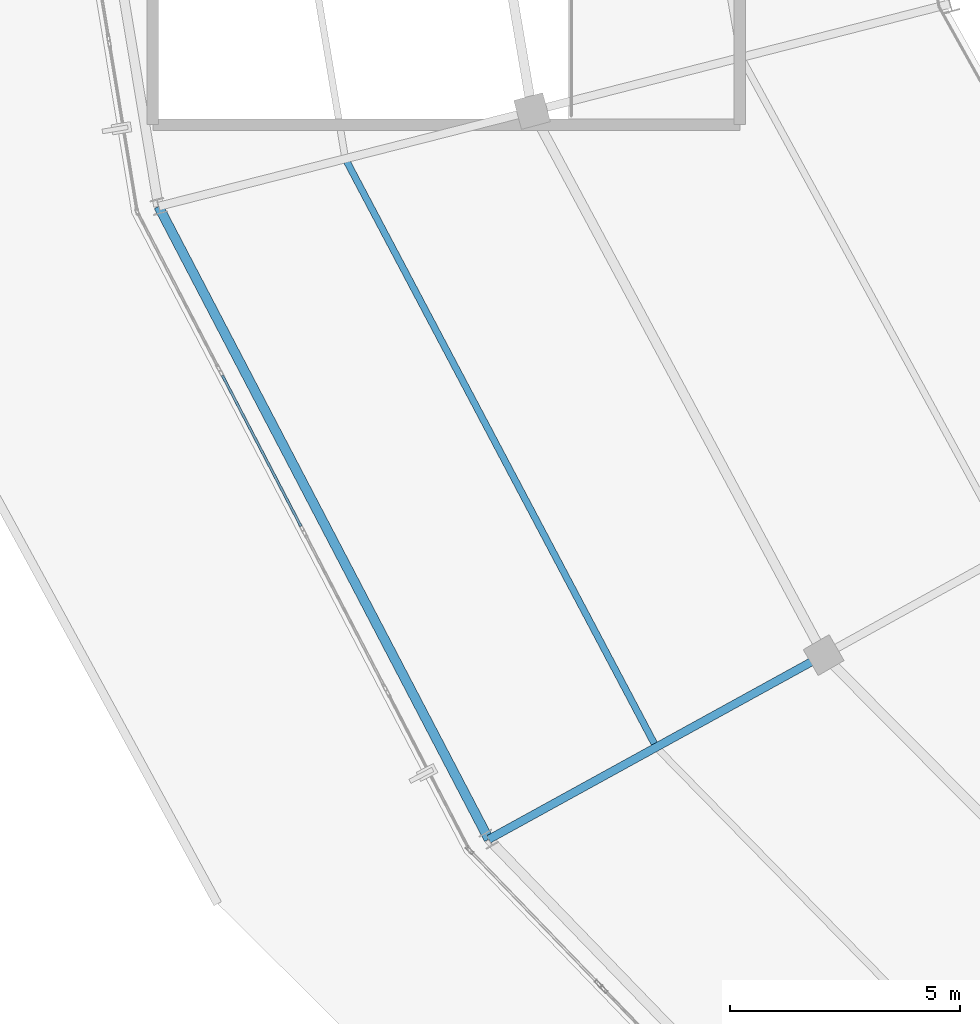
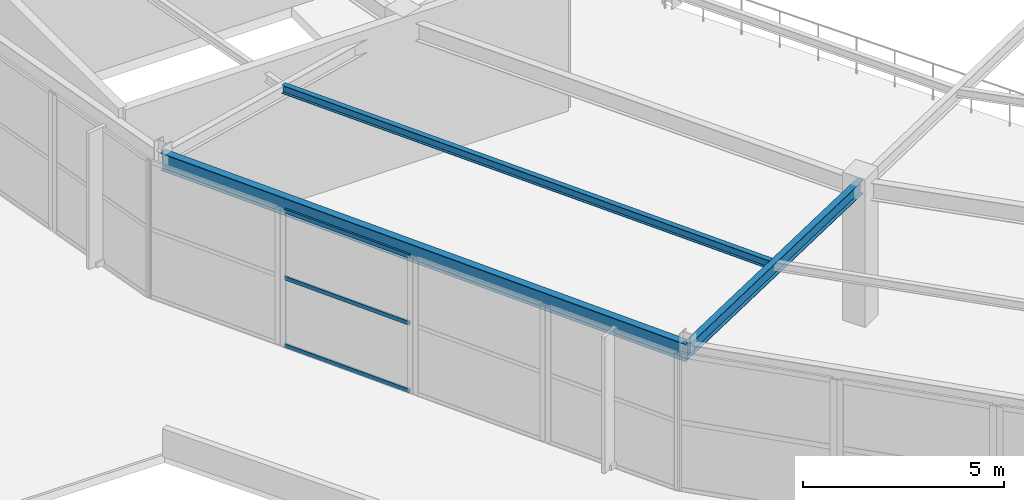
# One storey, part 26 of 126: 3 beams, 3 members, 1 element without a shape of its own.
"""IFC4 building model written with IfcOpenShell, lengths in metres."""

from ifc_helpers import new_model, si_unit, direction, frame, origin, origin_2d, place, context, subcontext, project, spatial, hollow_rectangle, i_section, extrude, material, layer, layer_set, material_profile, profile_set, type_object, element, aggregate, save


model = new_model("IFC4")

# Units and contexts
model_context = context("Model", 3, precision=1e-05, world=origin(), true_north=direction((0.0, 1.0)))
body_context = subcontext(model_context, "Body", "Model", "MODEL_VIEW")
ifc_project = project(units=[si_unit("LENGTHUNIT", "METRE"), si_unit("AREAUNIT", "SQUARE_METRE"), si_unit("VOLUMEUNIT", "CUBIC_METRE"), si_unit("PLANEANGLEUNIT", "RADIAN"), si_unit("MASSUNIT", "GRAM", prefix="KILO")], contexts=[model_context])

# Site, building, storey
site_placement = place(None, origin())
site = spatial("IfcSite", under=ifc_project, at=site_placement, CompositionType="ELEMENT")
building_placement = place(site_placement, origin())
building = spatial("IfcBuilding", under=site, at=building_placement, Name="Kalgoora Escarpment Arena", CompositionType="ELEMENT")
storey_placement = place(building_placement, frame((0.0, 0.0, 18.89990234375)))
storey = spatial("IfcBuildingStorey", under=building, at=storey_placement, Name="L04", CompositionType="ELEMENT", Elevation=18.89990234375)

# Beams
ifc_material_1 = material(Name="Structural steel AS/NZS 3679 (300 MPa)", Category="steel")
ifc_material_profile_1 = material_profile(ifc_material_1, i_section(OverallWidth=0.14599609375, OverallDepth=0.256103515625, WebThickness=0.00634765625, FlangeThickness=0.010986328125, at=origin_2d()))
ifc_profile_set_1 = profile_set([ifc_material_profile_1], Name="Structural steel AS/NZS 3679 (300 MPa)")
beam_type_1 = type_object("IfcBeamType", Name="BM-BEAM-250UB37.3", PredefinedType="BEAM", material=ifc_profile_set_1)
beam_1_placement = place(storey_placement, frame((27.103515625, 50.28271484375, 4.08203125), z_axis=(0.467123275038, -0.884192199648, 0.0), x_axis=(0.884192199648, 0.467123275038, 0.0)))
element("IfcBeam", 1, at=beam_1_placement, inside=storey, type_object=beam_type_1, Name="L04 Concourse secondary ring beam 250UB37.3", PredefinedType="BEAM", context=body_context, shape_type="SweptSolid", body=[
    extrude(i_section(OverallWidth=0.14599609375, OverallDepth=0.256103515625, WebThickness=0.00634765625, FlangeThickness=0.010986328125, at=origin_2d()), origin(), (0.0, 0.0, 1.0), 14.45703125),
])
ifc_material_2 = material(Name="Structural steel AS/NZS 3679 (300 MPa)", Category="steel")
ifc_material_profile_2 = material_profile(ifc_material_2, i_section(OverallWidth=0.177978515625, OverallDepth=0.406005859375, WebThickness=0.0078125, FlangeThickness=0.0126953125, at=origin_2d()))
ifc_profile_set_2 = profile_set([ifc_material_profile_2], Name="Structural steel AS/NZS 3679 (300 MPa)")
beam_type_2 = type_object("IfcBeamType", Name="BM-GIRDER-410UB59.7", PredefinedType="USERDEFINED", material=ifc_profile_set_2)
beam_2_placement = place(storey_placement, frame((37.493896484375, 39.5, 4.007080078125), z_axis=(-0.876263093947, -0.481832948424, 0.0), x_axis=(0.481832948424, -0.876263093947, 0.0)))
element("IfcBeam", 2, at=beam_2_placement, inside=storey, type_object=beam_type_2, Name="L04 Radial concourse girder 410UB59.7", ObjectType="GIRDER", PredefinedType="USERDEFINED", context=body_context, shape_type="SweptSolid", body=[
    extrude(i_section(OverallWidth=0.177978515625, OverallDepth=0.406005859375, WebThickness=0.0078125, FlangeThickness=0.0126953125, at=origin_2d()), origin(), (0.0, 0.0, 1.0), 8.301513671875),
])
ifc_material_3 = material(Name="Structural steel AS/NZS 3679 (300 MPa)", Category="steel")
ifc_material_profile_3 = material_profile(ifc_material_3, i_section(OverallWidth=0.208984375, OverallDepth=0.532958984375, WebThickness=0.01025390625, FlangeThickness=0.015625, at=origin_2d()))
ifc_profile_set_3 = profile_set([ifc_material_profile_3], Name="Structural steel AS/NZS 3679 (300 MPa)")
beam_type_3 = type_object("IfcBeamType", Name="BM-SPANDREL-530UB92.4", PredefinedType="SPANDREL", material=ifc_profile_set_3)
beam_3_placement = place(storey_placement, frame((23.04638671875, 49.247314453125, 3.943603515625), z_axis=(0.462595600895, -0.886569405085, 0.0), x_axis=(0.886569405085, 0.462595600895, 0.0)))
element("IfcBeam", 3, at=beam_3_placement, inside=storey, type_object=beam_type_3, Name="L04 Circumferential concourse girder RCONC2 530UB92.4", PredefinedType="SPANDREL", context=body_context, shape_type="SweptSolid", body=[
    extrude(i_section(OverallWidth=0.208984375, OverallDepth=0.532958984375, WebThickness=0.01025390625, FlangeThickness=0.015625, at=origin_2d()), origin(), (0.0, 0.0, 1.0), 15.506103515625),
])

# Curtain wall, members
ifc_material_4 = material(Name=" Champagne anodised aluminium & double-glazed low-E", Category="aluminium")
ifc_layer = layer(ifc_material_4, 0.162109375)
ifc_layer_set = layer_set([ifc_layer], Name="CW-UNIT-13")
curtain_wall_type = type_object("IfcCurtainWallType", Name="CW-UNIT-13", PredefinedType="NOTDEFINED", material=ifc_layer_set)
curtain_wall_placement = place(storey_placement, origin())
curtain_wall = element("IfcCurtainWall", 4, at=curtain_wall_placement, inside=storey, type_object=curtain_wall_type, Name="L04 unitised facade curtain wall 132", PredefinedType="NOTDEFINED")
ifc_material_5 = material(Name="Anodised aluminium 6063-T6", Category="aluminium")
ifc_material_profile_4 = material_profile(ifc_material_5, hollow_rectangle(XDim=0.054931640625, YDim=0.1201171875, WallThickness=0.003173828125, at=origin_2d()))
ifc_profile_set_4 = profile_set([ifc_material_profile_4], Name="Anodised aluminium 6063-T6")
member_type = type_object("IfcMemberType", Name="MEM-CW-TRAN-120", PredefinedType="USERDEFINED", material=ifc_profile_set_4)
member_1_placement = place(storey_placement, frame((26.138916015625, 42.299072265625, 0.047607421875), z_axis=(-0.461793667035, 0.8869873782, 0.0), x_axis=(-0.8869873782, -0.461793667035, 0.0)))
member_1 = element("IfcMember", 5, at=member_1_placement, type_object=member_type, Name="CW-13 transom 1.1", ObjectType="TRANSOM", PredefinedType="USERDEFINED", context=body_context, shape_type="SweptSolid", body=[
    extrude(hollow_rectangle(XDim=0.054931640625, YDim=0.1201171875, WallThickness=0.003173828125, at=origin_2d()), origin(), (0.0, 0.0, 1.0), 3.695556640625),
])
member_2_placement = place(storey_placement, frame((26.138916015625, 42.299072265625, 2.10498046875), z_axis=(-0.461793667035, 0.8869873782, 0.0), x_axis=(-0.8869873782, -0.461793667035, 0.0)))
member_2 = element("IfcMember", 6, at=member_2_placement, type_object=member_type, Name="CW-13 transom 1.2", ObjectType="TRANSOM", PredefinedType="USERDEFINED", context=body_context, shape_type="SweptSolid", body=[
    extrude(hollow_rectangle(XDim=0.054931640625, YDim=0.1201171875, WallThickness=0.003173828125, at=origin_2d()), origin(), (0.0, 0.0, 1.0), 3.695556640625),
])
member_3_placement = place(storey_placement, frame((26.138916015625, 42.299072265625, 4.142578125), z_axis=(-0.461793667035, 0.8869873782, 0.0), x_axis=(-0.8869873782, -0.461793667035, 0.0)))
member_3 = element("IfcMember", 7, at=member_3_placement, type_object=member_type, Name="CW-13 transom 1.3", ObjectType="TRANSOM", PredefinedType="USERDEFINED", context=body_context, shape_type="SweptSolid", body=[
    extrude(hollow_rectangle(XDim=0.054931640625, YDim=0.1201171875, WallThickness=0.003173828125, at=origin_2d()), origin(), (0.0, 0.0, 1.0), 3.695556640625),
])
aggregate(curtain_wall, [member_1, member_2, member_3])

save(model, "model.ifc")
